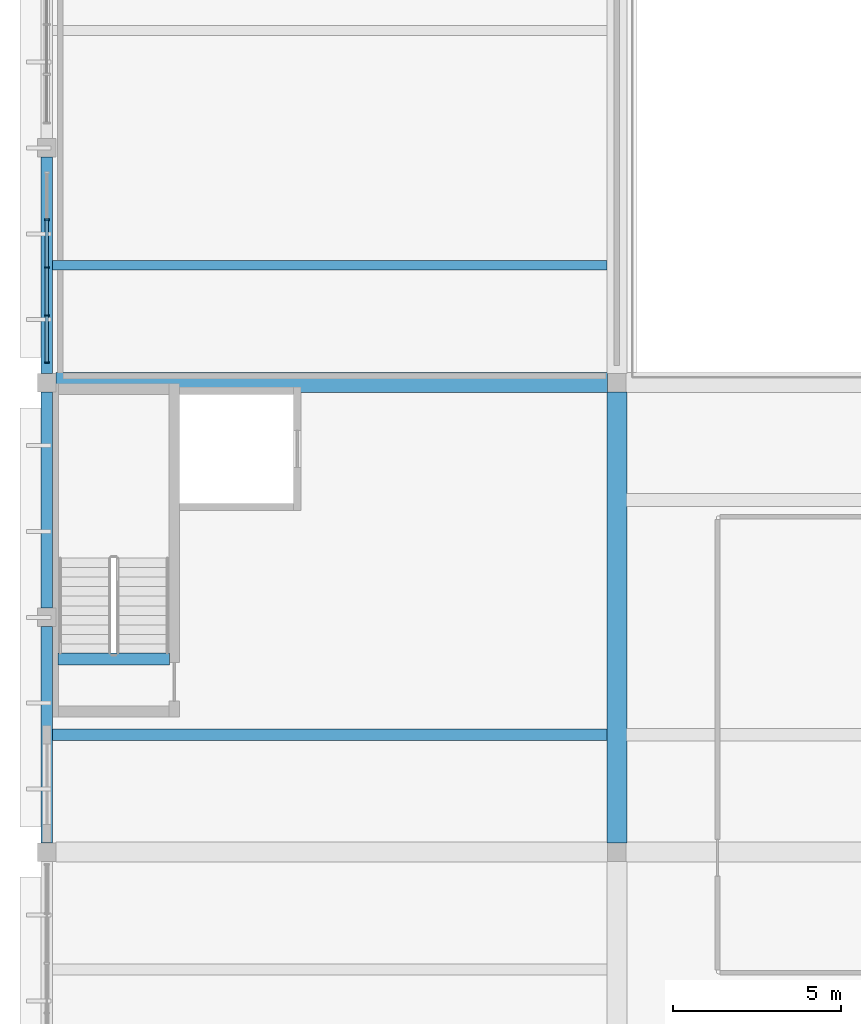
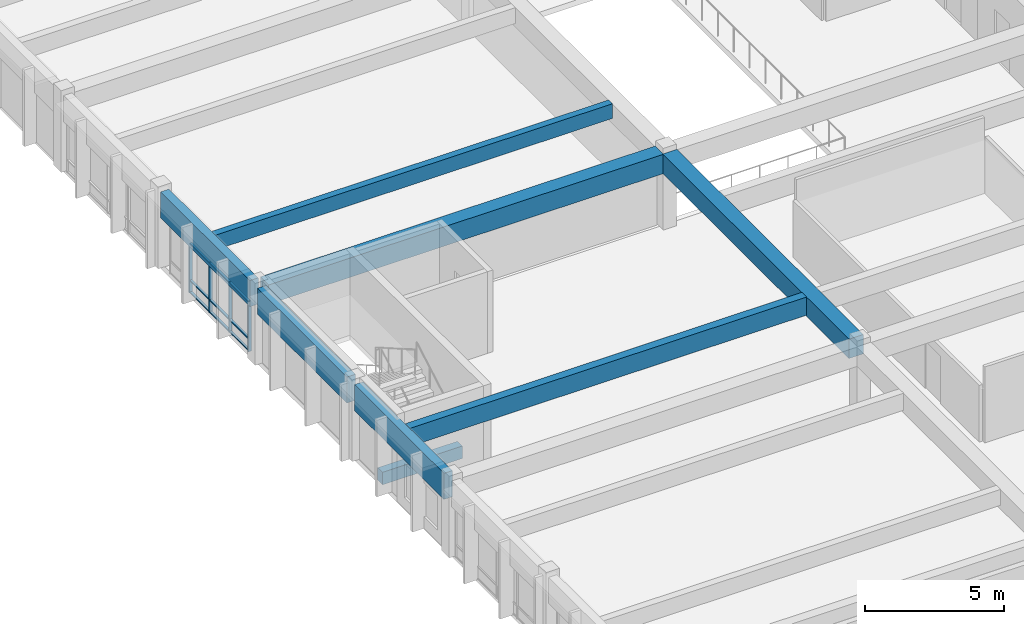
# One storey, part 6 of 23: 13 members, 8 beams, 1 element without a shape of its own.
"""IFC4 building model written with IfcOpenShell, lengths in metres."""

from ifc_helpers import new_model, si_unit, direction, frame, origin, origin_2d, place, context, subcontext, project, spatial, rectangle, extrude, material, material_profile, profile_set, type_object, element, aggregate, save


model = new_model("IFC4")

# Units and contexts
model_context = context("Model", 3, precision=1e-05, world=origin(), true_north=direction((0.0, 1.0)))
body_context = subcontext(model_context, "Body", "Model", "MODEL_VIEW")
ifc_project = project(units=[si_unit("LENGTHUNIT", "METRE"), si_unit("AREAUNIT", "SQUARE_METRE"), si_unit("VOLUMEUNIT", "CUBIC_METRE"), si_unit("PLANEANGLEUNIT", "RADIAN"), si_unit("MASSUNIT", "GRAM", prefix="KILO")], contexts=[model_context])

# Site, building, storey
site_placement = place(None, origin())
site = spatial("IfcSite", under=ifc_project, at=site_placement, CompositionType="ELEMENT")
building_placement = place(site_placement, origin())
building = spatial("IfcBuilding", under=site, at=building_placement, Name="Larkveld Mobility Hub", CompositionType="ELEMENT")
storey_placement = place(building_placement, frame((0.0, 0.0, 19.199951171875)))
storey = spatial("IfcBuildingStorey", under=building, at=storey_placement, Name="L05", CompositionType="ELEMENT", Elevation=19.199951171875)

# Beams
ifc_material_1 = material(Name="Precast concrete C50/60", Category="concrete")
ifc_material_profile_1 = material_profile(ifc_material_1, rectangle(XDim=0.280029296875, YDim=0.64990234375, at=origin_2d()), Name="PC DT 280x650")
ifc_profile_set_1 = profile_set([ifc_material_profile_1], Name="Precast concrete C50/60")
beam_type_1 = type_object("IfcBeamType", Name="BM-DT2865", PredefinedType="T_BEAM", material=ifc_profile_set_1)
beam_1_placement = place(storey_placement, frame((112.169921875, 59.5, 3.045166015625), z_axis=(1.0, 0.0, 0.0), x_axis=(0.0, 1.0, 0.0)))
element("IfcBeam", 1, at=beam_1_placement, inside=storey, type_object=beam_type_1, Name="Precast Double-Tee Stem L05-1152", PredefinedType="T_BEAM", context=body_context, shape_type="SweptSolid", body=[
    extrude(rectangle(XDim=0.280029296875, YDim=0.64990234375, at=origin_2d()), origin(), (0.0, 0.0, 1.0), 16.53515625),
])
ifc_material_profile_2 = material_profile(ifc_material_1, rectangle(XDim=0.340087890625, YDim=0.800048828125, at=origin_2d()), Name="PC DT 340x800")
ifc_profile_set_2 = profile_set([ifc_material_profile_2], Name="Precast concrete C50/60")
beam_type_2 = type_object("IfcBeamType", Name="BM-DT3480", PredefinedType="T_BEAM", material=ifc_profile_set_2)
beam_2_placement = place(storey_placement, frame((112.169921875, 45.5, 2.969970703125), z_axis=(1.0, 0.0, 0.0), x_axis=(0.0, 1.0, 0.0)))
element("IfcBeam", 2, at=beam_2_placement, inside=storey, type_object=beam_type_2, Name="Precast Double-Tee Stem L05-1147", PredefinedType="T_BEAM", context=body_context, shape_type="SweptSolid", body=[
    extrude(rectangle(XDim=0.340087890625, YDim=0.800048828125, at=origin_2d()), origin(), (0.0, 0.0, 1.0), 16.53515625),
])
ifc_material_profile_3 = material_profile(ifc_material_1, rectangle(XDim=0.60009765625, YDim=0.85009765625, at=origin_2d()), Name="PC ITB 600x850")
ifc_profile_set_3 = profile_set([ifc_material_profile_3], Name="Precast concrete C50/60")
beam_type_3 = type_object("IfcBeamType", Name="BM-ITB6085", PredefinedType="T_BEAM", material=ifc_profile_set_3)
beam_3_placement = place(storey_placement, frame((112.27490234375, 56.0, 2.93505859375), z_axis=(1.0, 0.0, 0.0), x_axis=(0.0, 1.0, 0.0)))
element("IfcBeam", 3, at=beam_3_placement, inside=storey, type_object=beam_type_3, Name="Primary E-W Girder L05-0951", PredefinedType="T_BEAM", context=body_context, shape_type="SweptSolid", body=[
    extrude(rectangle(XDim=0.60009765625, YDim=0.85009765625, at=origin_2d()), origin(), (0.0, 0.0, 1.0), 16.4501953125),
])
beam_4_placement = place(storey_placement, frame((129.0, 42.27490234375, 2.93505859375), z_axis=(0.0, 1.0, 0.0), x_axis=(-1.0, 0.0, 0.0)))
element("IfcBeam", 4, at=beam_4_placement, inside=storey, type_object=beam_type_3, Name="Primary N-S Girder L05-0971", PredefinedType="T_BEAM", context=body_context, shape_type="SweptSolid", body=[
    extrude(rectangle(XDim=0.60009765625, YDim=0.85009765625, at=origin_2d()), origin(), (0.0, 0.0, 1.0), 13.4501953125),
])
ifc_material_2 = material(Name="Concrete C40/50", Category="concrete")
ifc_material_profile_4 = material_profile(ifc_material_2, rectangle(XDim=0.35009765625, YDim=0.550048828125, at=origin_2d()), Name="RC BM 350x550")
ifc_profile_set_4 = profile_set([ifc_material_profile_4], Name="Concrete C40/50")
beam_type_4 = type_object("IfcBeamType", Name="BM-RC3555", PredefinedType="BEAM", material=ifc_profile_set_4)
beam_5_placement = place(storey_placement, frame((112.330078125, 47.760009765625, -0.27001953125), z_axis=(1.0, 0.0, 0.0), x_axis=(0.0, 1.0, 0.0)))
element("IfcBeam", 5, at=beam_5_placement, inside=storey, type_object=beam_type_4, Name="Core C3 Stair Header Beam L05", PredefinedType="BEAM", context=body_context, shape_type="SweptSolid", body=[
    extrude(rectangle(XDim=0.35009765625, YDim=0.550048828125, at=origin_2d()), origin(), (0.0, 0.0, 1.0), 3.329833984375),
])
ifc_material_profile_5 = material_profile(ifc_material_1, rectangle(XDim=0.35009765625, YDim=1.14990234375, at=origin_2d()), Name="PC SP 350x1150")
ifc_profile_set_5 = profile_set([ifc_material_profile_5], Name="Precast concrete C50/60")
beam_type_5 = type_object("IfcBeamType", Name="BM-SP35115", PredefinedType="SPANDREL", material=ifc_profile_set_5)
for number, where, z_axis, x_axis, name in (
    (6, (112.0, 42.27490234375, 2.78515625), (0.0, 1.0, 0.0), (-1.0, 0.0, 0.0), "Primary N-S Girder L05-0964"),
    (7, (112.0, 49.27490234375, 2.78515625), (0.0, 1.0, 0.0), (-1.0, 0.0, 0.0), "Primary N-S Girder L05-0965"),
    (8, (112.0, 56.27490234375, 2.78515625), (0.0, 1.0, 0.0), (-1.0, 0.0, 0.0), "Primary N-S Girder L05-0966"),
):
    element("IfcBeam", number, at=place(storey_placement, frame(where, z_axis=z_axis, x_axis=x_axis)), inside=storey, type_object=beam_type_5, Name=name, PredefinedType="SPANDREL", context=body_context, shape_type="SweptSolid", body=[
        extrude(rectangle(XDim=0.35009765625, YDim=1.14990234375, at=origin_2d()), origin(), (0.0, 0.0, 1.0), 6.4501953125),
    ])

# Curtain wall, members
ifc_material_3 = material(Name="Anodised aluminium 6063-T6", Category="aluminium")
curtain_wall_type = type_object("IfcCurtainWallType", Name="CW-SYS-08", PredefinedType="NOTDEFINED", material=ifc_material_3)
curtain_wall_placement = place(storey_placement, origin())
curtain_wall = element("IfcCurtainWall", 9, at=curtain_wall_placement, inside=storey, type_object=curtain_wall_type, Name="EV Wing West Glazing L05 CW-164", PredefinedType="NOTDEFINED")
ifc_material_profile_6 = material_profile(ifc_material_3, rectangle(XDim=0.050048828125, YDim=0.1298828125, at=origin_2d()), Name="ALU MULL 50x130")
ifc_profile_set_6 = profile_set([ifc_material_profile_6], Name="Anodised aluminium 6063-T6")
member_type_1 = type_object("IfcMemberType", Name="CW-MUL-04", PredefinedType="MULLION", material=ifc_profile_set_6)
member_1_placement = place(storey_placement, frame((112.0, 60.85888671875, -0.001953125), z_axis=(0.0, 0.0, 1.0), x_axis=(0.0, -1.0, 0.0)))
member_1 = element("IfcMember", 10, at=member_1_placement, type_object=member_type_1, Name="CW08 mullion 2", PredefinedType="MULLION", context=body_context, shape_type="SweptSolid", body=[
    extrude(rectangle(XDim=0.050048828125, YDim=0.1298828125, at=origin_2d()), origin(), (0.0, 0.0, 1.0), 2.2119140625),
])
member_2_placement = place(storey_placement, frame((112.0, 59.431884765625, -0.001953125), z_axis=(0.0, 0.0, 1.0), x_axis=(0.0, -1.0, 0.0)))
member_2 = element("IfcMember", 11, at=member_2_placement, type_object=member_type_1, Name="CW08 mullion 3", PredefinedType="MULLION", context=body_context, shape_type="SweptSolid", body=[
    extrude(rectangle(XDim=0.050048828125, YDim=0.1298828125, at=origin_2d()), origin(), (0.0, 0.0, 1.0), 2.2119140625),
])
member_3_placement = place(storey_placement, frame((112.0, 58.006103515625, -0.001953125), z_axis=(0.0, 0.0, 1.0), x_axis=(0.0, -1.0, 0.0)))
member_3 = element("IfcMember", 12, at=member_3_placement, type_object=member_type_1, Name="CW08 mullion 4", PredefinedType="MULLION", context=body_context, shape_type="SweptSolid", body=[
    extrude(rectangle(XDim=0.050048828125, YDim=0.1298828125, at=origin_2d()), origin(), (0.0, 0.0, 1.0), 2.2119140625),
])
member_4_placement = place(storey_placement, frame((112.0, 56.60498046875, -0.001953125), z_axis=(0.0, 0.0, 1.0), x_axis=(0.0, -1.0, 0.0)))
member_4 = element("IfcMember", 13, at=member_4_placement, type_object=member_type_1, Name="CW08 mullion 5", PredefinedType="MULLION", context=body_context, shape_type="SweptSolid", body=[
    extrude(rectangle(XDim=0.050048828125, YDim=0.1298828125, at=origin_2d()), origin(), (0.0, 0.0, 1.0), 2.2119140625),
])
ifc_material_profile_7 = material_profile(ifc_material_3, rectangle(XDim=0.10009765625, YDim=0.050048828125, at=origin_2d()), Name="ALU TRAN 50x100")
ifc_profile_set_7 = profile_set([ifc_material_profile_7], Name="Anodised aluminium 6063-T6")
member_type_2 = type_object("IfcMemberType", Name="CW-TRN-04", PredefinedType="USERDEFINED", material=ifc_profile_set_7)
member_5_placement = place(storey_placement, frame((112.0, 60.843994140625, 0.030029296875), z_axis=(0.0, -1.0, 0.0), x_axis=(1.0, 0.0, 0.0)))
member_5 = element("IfcMember", 14, at=member_5_placement, type_object=member_type_2, Name="CW08 transom 2.1", ObjectType="TRANSOM", PredefinedType="USERDEFINED", context=body_context, shape_type="SweptSolid", body=[
    extrude(rectangle(XDim=0.10009765625, YDim=0.050048828125, at=origin_2d()), origin(), (0.0, 0.0, 1.0), 1.39697265625),
])
member_6_placement = place(storey_placement, frame((112.0, 60.843994140625, 0.552001953125), z_axis=(0.0, -1.0, 0.0), x_axis=(1.0, 0.0, 0.0)))
member_6 = element("IfcMember", 15, at=member_6_placement, type_object=member_type_2, Name="CW08 transom 2.2", ObjectType="TRANSOM", PredefinedType="USERDEFINED", context=body_context, shape_type="SweptSolid", body=[
    extrude(rectangle(XDim=0.10009765625, YDim=0.050048828125, at=origin_2d()), origin(), (0.0, 0.0, 1.0), 1.39697265625),
])
member_7_placement = place(storey_placement, frame((112.0, 60.843994140625, 2.177978515625), z_axis=(0.0, -1.0, 0.0), x_axis=(1.0, 0.0, 0.0)))
member_7 = element("IfcMember", 16, at=member_7_placement, type_object=member_type_2, Name="CW08 transom 2.3", ObjectType="TRANSOM", PredefinedType="USERDEFINED", context=body_context, shape_type="SweptSolid", body=[
    extrude(rectangle(XDim=0.10009765625, YDim=0.050048828125, at=origin_2d()), origin(), (0.0, 0.0, 1.0), 1.39697265625),
])
member_8_placement = place(storey_placement, frame((112.0, 59.4169921875, 0.030029296875), z_axis=(0.0, -1.0, 0.0), x_axis=(1.0, 0.0, 0.0)))
member_8 = element("IfcMember", 17, at=member_8_placement, type_object=member_type_2, Name="CW08 transom 3.1", ObjectType="TRANSOM", PredefinedType="USERDEFINED", context=body_context, shape_type="SweptSolid", body=[
    extrude(rectangle(XDim=0.10009765625, YDim=0.050048828125, at=origin_2d()), origin(), (0.0, 0.0, 1.0), 1.39599609375),
])
member_9_placement = place(storey_placement, frame((112.0, 59.4169921875, 0.552001953125), z_axis=(0.0, -1.0, 0.0), x_axis=(1.0, 0.0, 0.0)))
member_9 = element("IfcMember", 18, at=member_9_placement, type_object=member_type_2, Name="CW08 transom 3.2", ObjectType="TRANSOM", PredefinedType="USERDEFINED", context=body_context, shape_type="SweptSolid", body=[
    extrude(rectangle(XDim=0.10009765625, YDim=0.050048828125, at=origin_2d()), origin(), (0.0, 0.0, 1.0), 1.39599609375),
])
member_10_placement = place(storey_placement, frame((112.0, 59.4169921875, 2.177978515625), z_axis=(0.0, -1.0, 0.0), x_axis=(1.0, 0.0, 0.0)))
member_10 = element("IfcMember", 19, at=member_10_placement, type_object=member_type_2, Name="CW08 transom 3.3", ObjectType="TRANSOM", PredefinedType="USERDEFINED", context=body_context, shape_type="SweptSolid", body=[
    extrude(rectangle(XDim=0.10009765625, YDim=0.050048828125, at=origin_2d()), origin(), (0.0, 0.0, 1.0), 1.39599609375),
])
member_11_placement = place(storey_placement, frame((112.0, 57.990966796875, 0.030029296875), z_axis=(0.0, -1.0, 0.0), x_axis=(1.0, 0.0, 0.0)))
member_11 = element("IfcMember", 20, at=member_11_placement, type_object=member_type_2, Name="CW08 transom 4.1", ObjectType="TRANSOM", PredefinedType="USERDEFINED", context=body_context, shape_type="SweptSolid", body=[
    extrude(rectangle(XDim=0.10009765625, YDim=0.050048828125, at=origin_2d()), origin(), (0.0, 0.0, 1.0), 1.3759765625),
])
member_12_placement = place(storey_placement, frame((112.0, 57.990966796875, 0.552001953125), z_axis=(0.0, -1.0, 0.0), x_axis=(1.0, 0.0, 0.0)))
member_12 = element("IfcMember", 21, at=member_12_placement, type_object=member_type_2, Name="CW08 transom 4.2", ObjectType="TRANSOM", PredefinedType="USERDEFINED", context=body_context, shape_type="SweptSolid", body=[
    extrude(rectangle(XDim=0.10009765625, YDim=0.050048828125, at=origin_2d()), origin(), (0.0, 0.0, 1.0), 1.3759765625),
])
member_13_placement = place(storey_placement, frame((112.0, 57.990966796875, 2.177978515625), z_axis=(0.0, -1.0, 0.0), x_axis=(1.0, 0.0, 0.0)))
member_13 = element("IfcMember", 22, at=member_13_placement, type_object=member_type_2, Name="CW08 transom 4.3", ObjectType="TRANSOM", PredefinedType="USERDEFINED", context=body_context, shape_type="SweptSolid", body=[
    extrude(rectangle(XDim=0.10009765625, YDim=0.050048828125, at=origin_2d()), origin(), (0.0, 0.0, 1.0), 1.3759765625),
])
aggregate(curtain_wall, [member_1, member_2, member_3, member_4, member_5, member_6, member_7, member_8, member_9, member_10, member_11, member_12, member_13])

save(model, "model.ifc")
